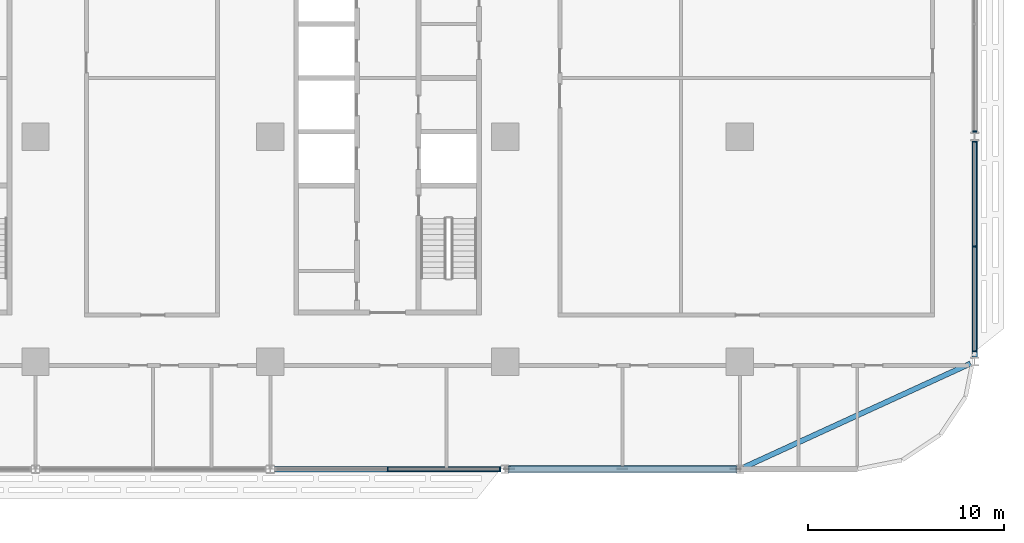
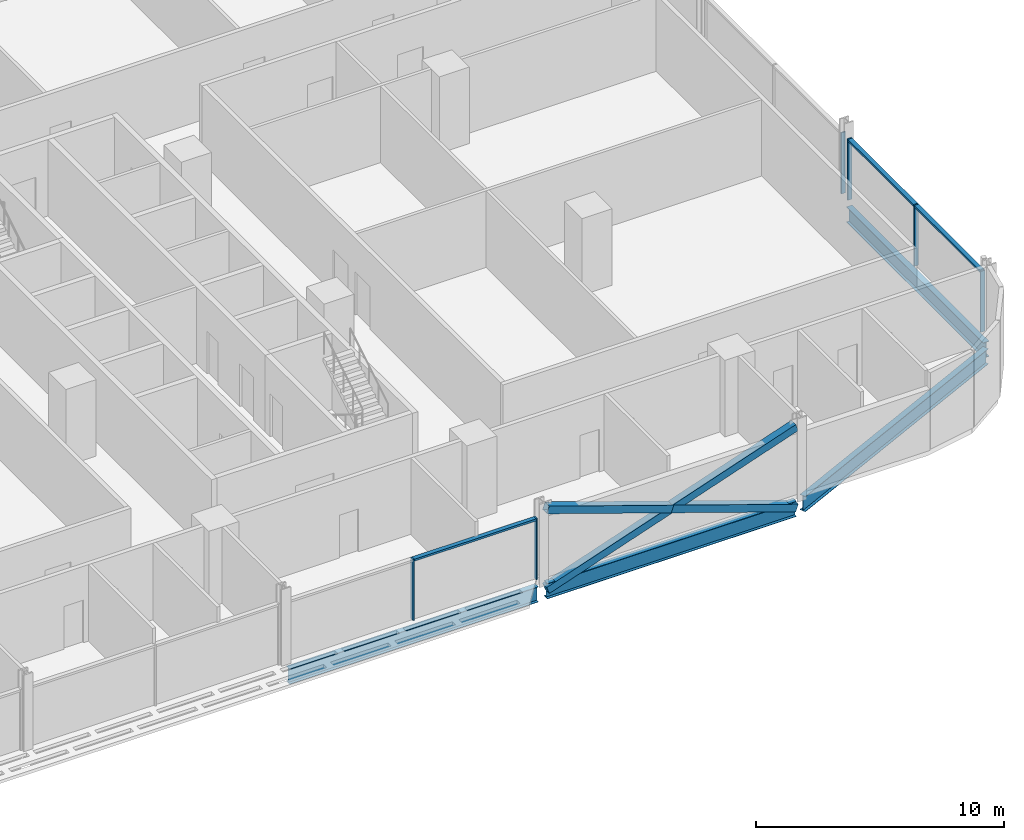
# One storey, part 8 of 29: 12 members, 4 beams, 3 elements without a shape of their own.
"""IFC4 building model written with IfcOpenShell, lengths in metres."""

from ifc_helpers import new_model, si_unit, direction, frame, origin, origin_2d, place, context, subcontext, project, spatial, rectangle, hollow_rectangle, i_section, extrude, material, material_profile, profile_set, type_object, element, aggregate, save


model = new_model("IFC4")

# Units and contexts
model_context = context("Model", 3, precision=1e-05, world=origin(), true_north=direction((0.0, 1.0)))
body_context = subcontext(model_context, "Body", "Model", "MODEL_VIEW")
ifc_project = project(units=[si_unit("LENGTHUNIT", "METRE"), si_unit("AREAUNIT", "SQUARE_METRE"), si_unit("VOLUMEUNIT", "CUBIC_METRE"), si_unit("PLANEANGLEUNIT", "RADIAN"), si_unit("MASSUNIT", "GRAM", prefix="KILO")], contexts=[model_context])

# Site, building, storey
site_placement = place(None, origin())
site = spatial("IfcSite", under=ifc_project, at=site_placement, CompositionType="ELEMENT")
building_placement = place(site_placement, origin())
building = spatial("IfcBuilding", under=site, at=building_placement, Name="Mahtab Terrace Research Tower", CompositionType="ELEMENT")
storey_placement = place(building_placement, frame((0.0, 0.0, 109.39990234375)))
storey = spatial("IfcBuildingStorey", under=building, at=storey_placement, Name="L25", CompositionType="ELEMENT", Elevation=109.39990234375)

# Members
ifc_material_1 = material(Name="Steel ASTM A500 Gr C", Category="steel")
ifc_material_profile_1 = material_profile(ifc_material_1, hollow_rectangle(XDim=0.355712890625, YDim=0.355712890625, WallThickness=0.01904296875, at=origin_2d()), Name="HSS14X14X3/4")
ifc_profile_set_1 = profile_set([ifc_material_profile_1], Name="Steel ASTM A500 Gr C")
member_type_1 = type_object("IfcMemberType", Name="HSS 14x14x3/4 brace XB141434", PredefinedType="BRACE", material=ifc_profile_set_1)
member_1_placement = place(storey_placement, frame((30.20947265625, -17.0, -0.646728515625), z_axis=(0.946292853795, 0.0, 0.323310740397), x_axis=(0.0, 1.0, 0.0)))
element("IfcMember", 1, at=member_1_placement, inside=storey, type_object=member_type_1, Name="Exoskeleton brace L25 18 a", PredefinedType="BRACE", context=body_context, shape_type="SweptSolid", body=[
    extrude(hollow_rectangle(XDim=0.355712890625, YDim=0.355712890625, WallThickness=0.01904296875, at=origin_2d()), origin(), (0.0, 0.0, 1.0), 12.23828125),
])
for number, where, z_axis, x_axis, name in (
    (2, (41.79052734375, -17.0, -0.646728515625), (-0.946298956945, 0.0, 0.323292876639), (0.0, -1.0, 0.0), "Exoskeleton brace L25 18 b1"),
    (3, (36.0, -17.0, 1.33154296875), (-0.946286750388, 0.0, 0.323328603809), (0.0, -1.0, 0.0), "Exoskeleton brace L25 18 b2"),
):
    element("IfcMember", number, at=place(storey_placement, frame(where, z_axis=z_axis, x_axis=x_axis)), inside=storey, type_object=member_type_1, Name=name, PredefinedType="BRACE", context=body_context, shape_type="SweptSolid", body=[
        extrude(hollow_rectangle(XDim=0.355712890625, YDim=0.355712890625, WallThickness=0.01904296875, at=origin_2d()), origin(), (0.0, 0.0, 1.0), 6.119140625),
    ])

# Curtain wall, members
ifc_material_2 = material(Name="Laboratory ribbon curtain wall")
curtain_wall_type = type_object("IfcCurtainWallType", Name="Laboratory ribbon curtain wall", PredefinedType="NOTDEFINED", material=ifc_material_2)
curtain_wall_1_placement = place(storey_placement, origin())
curtain_wall_1 = element("IfcCurtainWall", 4, at=curtain_wall_1_placement, inside=storey, type_object=curtain_wall_type, Name="EN.L25.13.28", PredefinedType="NOTDEFINED")
ifc_material_3 = material(Name="Natural anodised aluminium", Category="aluminium")
ifc_material_profile_2 = material_profile(ifc_material_3, rectangle(XDim=0.199951171875, YDim=0.06494140625, at=origin_2d()), Name="MULLION 65x200")
ifc_profile_set_2 = profile_set([ifc_material_profile_2], Name="Natural anodised aluminium")
member_type_2 = type_object("IfcMemberType", Name="Laboratory ribbon curtain wall mullion", PredefinedType="MULLION", material=ifc_profile_set_2)
member_2_placement = place(storey_placement, frame((24.0, -17.0, 0.0), z_axis=(0.0, 0.0, 1.0), x_axis=(0.0, 1.0, 0.0)))
member_2 = element("IfcMember", 5, at=member_2_placement, type_object=member_type_2, Name="CWL-3 mullion 2", PredefinedType="MULLION", context=body_context, shape_type="SweptSolid", body=[
    extrude(rectangle(XDim=0.199951171875, YDim=0.06494140625, at=origin_2d()), origin(), (0.0, 0.0, 1.0), 3.003173828125),
])
member_3_placement = place(storey_placement, frame((29.739501953125, -17.0, 0.0), z_axis=(0.0, 0.0, 1.0), x_axis=(0.0, 1.0, 0.0)))
member_3 = element("IfcMember", 6, at=member_3_placement, type_object=member_type_2, Name="CWL-3 mullion 3", PredefinedType="MULLION", context=body_context, shape_type="SweptSolid", body=[
    extrude(rectangle(XDim=0.199951171875, YDim=0.06494140625, at=origin_2d()), origin(), (0.0, 0.0, 1.0), 3.003173828125),
])

curtain_wall_2_placement = place(storey_placement, origin())
curtain_wall_2 = element("IfcCurtainWall", 7, at=curtain_wall_2_placement, inside=storey, type_object=curtain_wall_type, Name="EN.L25.18.36", PredefinedType="NOTDEFINED")
member_4_placement = place(storey_placement, frame((54.0, -10.967529296875, 0.0), z_axis=(0.0, 0.0, 1.0), x_axis=(-1.0, 0.0, 0.0)))
member_4 = element("IfcMember", 8, at=member_4_placement, type_object=member_type_2, Name="CWL-3 mullion 1", PredefinedType="MULLION", context=body_context, shape_type="SweptSolid", body=[
    extrude(rectangle(XDim=0.199951171875, YDim=0.06494140625, at=origin_2d()), origin(), (0.0, 0.0, 1.0), 3.003173828125),
])
member_5_placement = place(storey_placement, frame((54.0, -5.614013671875, 0.0), z_axis=(0.0, 0.0, 1.0), x_axis=(-1.0, 0.0, 0.0)))
member_5 = element("IfcMember", 9, at=member_5_placement, type_object=member_type_2, Name="CWL-3 mullion 2", PredefinedType="MULLION", context=body_context, shape_type="SweptSolid", body=[
    extrude(rectangle(XDim=0.199951171875, YDim=0.06494140625, at=origin_2d()), origin(), (0.0, 0.0, 1.0), 3.003173828125),
])
member_6_placement = place(storey_placement, frame((54.0, -0.260498046875, 0.0), z_axis=(0.0, 0.0, 1.0), x_axis=(-1.0, 0.0, 0.0)))
member_6 = element("IfcMember", 10, at=member_6_placement, type_object=member_type_2, Name="CWL-3 mullion 3", PredefinedType="MULLION", context=body_context, shape_type="SweptSolid", body=[
    extrude(rectangle(XDim=0.199951171875, YDim=0.06494140625, at=origin_2d()), origin(), (0.0, 0.0, 1.0), 3.003173828125),
])

# Curtain wall, member
curtain_wall_3_placement = place(storey_placement, origin())
curtain_wall_3 = element("IfcCurtainWall", 11, at=curtain_wall_3_placement, inside=storey, type_object=curtain_wall_type, Name="EN.L25.18.37", PredefinedType="NOTDEFINED")
member_7_placement = place(storey_placement, frame((54.0, 0.260498046875, 0.0), z_axis=(0.0, 0.0, 1.0), x_axis=(-1.0, 0.0, 0.0)))
member_7 = element("IfcMember", 12, at=member_7_placement, type_object=member_type_2, Name="CWL-3 mullion 1", PredefinedType="MULLION", context=body_context, shape_type="SweptSolid", body=[
    extrude(rectangle(XDim=0.199951171875, YDim=0.06494140625, at=origin_2d()), origin(), (0.0, 0.0, 1.0), 3.003173828125),
])
aggregate(curtain_wall_3, [member_7])

# Member
ifc_material_profile_3 = material_profile(ifc_material_3, rectangle(XDim=0.199951171875, YDim=0.10009765625, at=origin_2d()), Name="TRANSOM 100x200")
ifc_profile_set_3 = profile_set([ifc_material_profile_3], Name="Natural anodised aluminium")
member_type_3 = type_object("IfcMemberType", Name="Laboratory ribbon curtain wall transom", PredefinedType="USERDEFINED", material=ifc_profile_set_3)
member_8_placement = place(storey_placement, frame((24.032470703125, -17.0, 2.953125), z_axis=(1.0, 0.0, 0.0), x_axis=(0.0, 1.0, 0.0)))
member_8 = element("IfcMember", 13, at=member_8_placement, type_object=member_type_3, Name="CWL-3 transom 2", ObjectType="TRANSOM", PredefinedType="USERDEFINED", context=body_context, shape_type="SweptSolid", body=[
    extrude(rectangle(XDim=0.199951171875, YDim=0.10009765625, at=origin_2d()), origin(), (0.0, 0.0, 1.0), 5.674560546875),
])

aggregate(curtain_wall_1, [member_2, member_3, member_8])

member_9_placement = place(storey_placement, frame((54.0, -10.93505859375, 2.953125), z_axis=(0.0, 1.0, 0.0), x_axis=(-1.0, 0.0, 0.0)))
member_9 = element("IfcMember", 14, at=member_9_placement, type_object=member_type_3, Name="CWL-3 transom 1", ObjectType="TRANSOM", PredefinedType="USERDEFINED", context=body_context, shape_type="SweptSolid", body=[
    extrude(rectangle(XDim=0.199951171875, YDim=0.10009765625, at=origin_2d()), origin(), (0.0, 0.0, 1.0), 5.28857421875),
])

member_10_placement = place(storey_placement, frame((54.0, -5.58154296875, 2.953125), z_axis=(0.0, 1.0, 0.0), x_axis=(-1.0, 0.0, 0.0)))
member_10 = element("IfcMember", 15, at=member_10_placement, type_object=member_type_3, Name="CWL-3 transom 2", ObjectType="TRANSOM", PredefinedType="USERDEFINED", context=body_context, shape_type="SweptSolid", body=[
    extrude(rectangle(XDim=0.199951171875, YDim=0.10009765625, at=origin_2d()), origin(), (0.0, 0.0, 1.0), 5.28857421875),
])

aggregate(curtain_wall_2, [member_4, member_5, member_6, member_9, member_10])

# Beams
ifc_material_4 = material(Name="Steel ASTM A992 Gr 50", Category="steel")
ifc_material_profile_4 = material_profile(ifc_material_4, i_section(OverallWidth=0.2666015625, OverallDepth=0.7568359375, WebThickness=0.013916015625, FlangeThickness=0.019287109375, at=origin_2d()), Name="W30X108")
ifc_profile_set_4 = profile_set([ifc_material_profile_4], Name="Steel ASTM A992 Gr 50")
beam_type = type_object("IfcBeamType", Name="W30x108 beam BS30108", PredefinedType="BEAM", material=ifc_profile_set_4)
for number, where, z_axis, x_axis, name in (
    (16, (18.20947265625, -17.0, -0.71826171875), (1.0, 0.0, 0.0), (0.0, 1.0, 0.0), "Spandrel beam L25 17"),
    (17, (30.20947265625, -17.0, -0.71826171875), (1.0, 0.0, 0.0), (0.0, 1.0, 0.0), "Spandrel beam L25 18"),
):
    element("IfcBeam", number, at=place(storey_placement, frame(where, z_axis=z_axis, x_axis=x_axis)), inside=storey, type_object=beam_type, Name=name, PredefinedType="BEAM", context=body_context, shape_type="SweptSolid", body=[
        extrude(i_section(OverallWidth=0.2666015625, OverallDepth=0.7568359375, WebThickness=0.013916015625, FlangeThickness=0.019287109375, at=origin_2d()), origin(), (0.0, 0.0, 1.0), 11.5810546875),
    ])
beam_1_placement = place(storey_placement, frame((42.20947265625, -16.904052734375, -0.71826171875), z_axis=(0.909061193532, 0.416662629011, 0.0), x_axis=(-0.416662629011, 0.909061193532, 0.0)))
element("IfcBeam", 18, at=beam_1_placement, inside=storey, type_object=beam_type, Name="Spandrel beam L25 19", PredefinedType="BEAM", context=body_context, shape_type="SweptSolid", body=[
    extrude(i_section(OverallWidth=0.2666015625, OverallDepth=0.7568359375, WebThickness=0.013916015625, FlangeThickness=0.019287109375, at=origin_2d()), origin(), (0.0, 0.0, 1.0), 12.739501953125),
])
beam_2_placement = place(storey_placement, frame((54.0, -11.272705078125, -0.71826171875), z_axis=(0.0, 1.0, 0.0), x_axis=(-1.0, 0.0, 0.0)))
element("IfcBeam", 19, at=beam_2_placement, inside=storey, type_object=beam_type, Name="Spandrel beam L25 20", PredefinedType="BEAM", context=body_context, shape_type="SweptSolid", body=[
    extrude(i_section(OverallWidth=0.2666015625, OverallDepth=0.7568359375, WebThickness=0.013916015625, FlangeThickness=0.019287109375, at=origin_2d()), origin(), (0.0, 0.0, 1.0), 11.04541015625),
])

save(model, "model.ifc")
